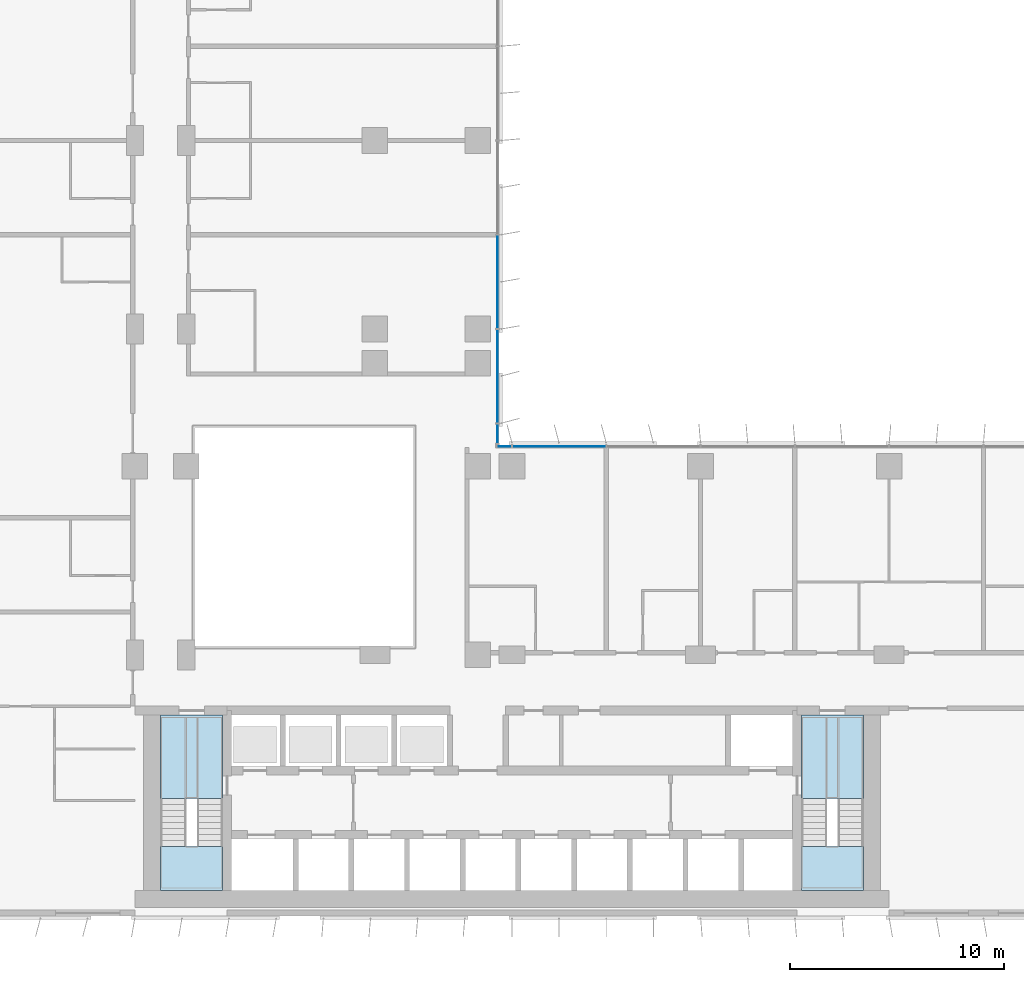
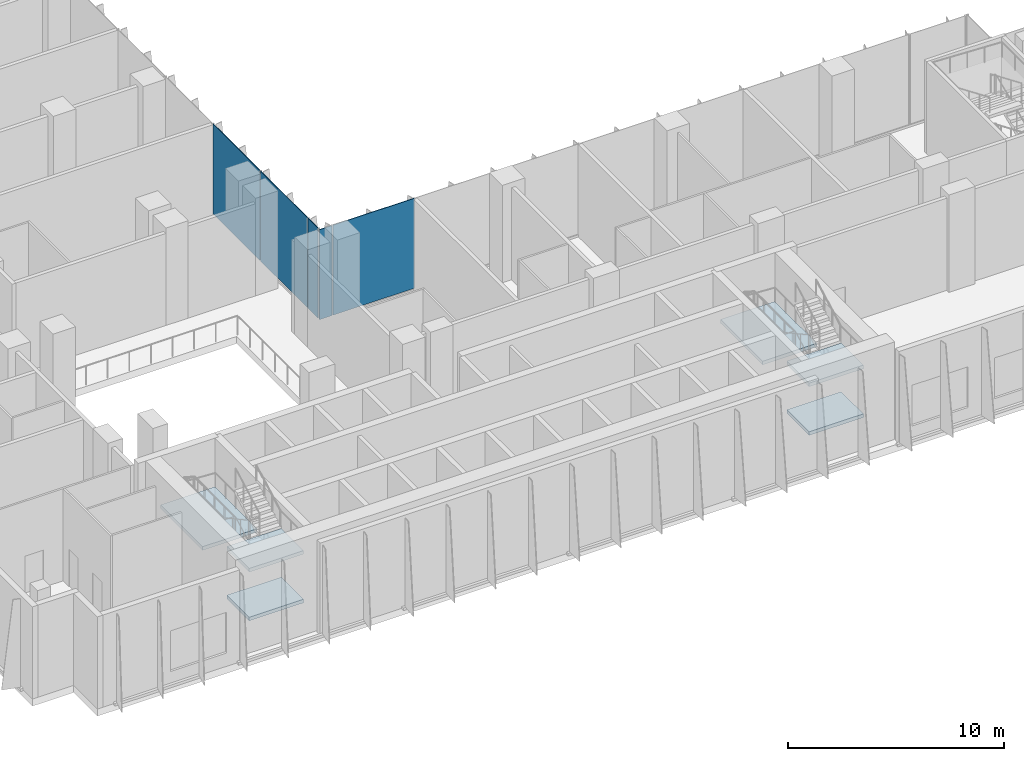
# One storey, part 10 of 26: 6 slabs, 5 plates, 4 elements without a shape of their own.
"""IFC4 building model written with IfcOpenShell, lengths in metres."""

from ifc_helpers import new_model, si_unit, direction, frame, origin, origin_2d, place, context, subcontext, project, spatial, polyline, rectangle, outline, extrude, source, transform, mapped, material, layer, layer_set, type_object, element, aggregate, save


model = new_model("IFC4")

# Units and contexts
model_context = context("Model", 3, precision=1e-05, world=origin(), true_north=direction((0.0, 1.0)))
body_context = subcontext(model_context, "Body", "Model", "MODEL_VIEW")
ifc_project = project(units=[si_unit("LENGTHUNIT", "METRE"), si_unit("AREAUNIT", "SQUARE_METRE"), si_unit("VOLUMEUNIT", "CUBIC_METRE"), si_unit("PLANEANGLEUNIT", "RADIAN"), si_unit("MASSUNIT", "GRAM", prefix="KILO")], contexts=[model_context])

# Site, building, storey
site_placement = place(None, origin())
site = spatial("IfcSite", under=ifc_project, at=site_placement, CompositionType="ELEMENT")
building_placement = place(site_placement, origin())
building = spatial("IfcBuilding", under=site, at=building_placement, Name="Kemantara Hotel Tower", CompositionType="ELEMENT")
storey_placement = place(building_placement, frame((0.0, 0.0, 101.89990234375)))
storey = spatial("IfcBuildingStorey", under=building, at=storey_placement, Name="L24", CompositionType="ELEMENT", Elevation=101.89990234375)

# Stair, slabs
ifc_material_1 = material(Name="Concrete fc 40 MPa", Category="concrete")
stair_type = type_object("IfcStairType", Name="Stair 1200 wide 36 risers of 153 x 280 mm", PredefinedType="HALF_TURN_STAIR", material=ifc_material_1)
stair_1_placement = place(storey_placement, origin())
stair_1 = element("IfcStair", 1, at=stair_1_placement, inside=storey, type_object=stair_type, Name="L24 Exit stair ST1", PredefinedType="HALF_TURN_STAIR")
ifc_layer_1 = layer(ifc_material_1, 0.199951171875)
ifc_layer_set_1 = layer_set([ifc_layer_1], Name="Concrete fc 40 MPa")
slab_type = type_object("IfcSlabType", Name="Stair landing 200 mm", PredefinedType="LANDING", material=ifc_layer_set_1)
slab_1_placement = place(storey_placement, frame((0.0, 0.0, 1.175048828125)))
slab_1 = element("IfcSlab", 2, at=slab_1_placement, type_object=slab_type, Name="ST1 landing 1", PredefinedType="LANDING", context=body_context, shape_type="SweptSolid", body=[
    extrude(outline(polyline([(11.0, 3.260009765625), (11.0, 1.199951171875), (13.89990234375, 1.199951171875), (13.89990234375, 3.260009765625), (11.0, 3.260009765625)])), origin(), (0.0, 0.0, 1.0), 0.199951171875),
])
slab_2_placement = place(storey_placement, frame((0.0, 0.0, 2.550048828125)))
slab_2 = element("IfcSlab", 3, at=slab_2_placement, type_object=slab_type, Name="ST1 landing 2", PredefinedType="LANDING", context=body_context, shape_type="SweptSolid", body=[
    extrude(outline(polyline([(11.0, 9.39990234375), (11.0, 5.5), (13.89990234375, 5.5), (13.89990234375, 9.39990234375), (11.0, 9.39990234375)])), origin(), (0.0, 0.0, 1.0), 0.199951171875),
])
slab_3_placement = place(storey_placement, frame((0.0, 0.0, 3.925048828125)))
slab_3 = element("IfcSlab", 4, at=slab_3_placement, type_object=slab_type, Name="ST1 landing 3", PredefinedType="LANDING", context=body_context, shape_type="SweptSolid", body=[
    extrude(outline(polyline([(11.0, 3.260009765625), (11.0, 1.199951171875), (13.89990234375, 1.199951171875), (13.89990234375, 3.260009765625), (11.0, 3.260009765625)])), origin(), (0.0, 0.0, 1.0), 0.199951171875),
])
aggregate(stair_1, [slab_1, slab_2, slab_3])

stair_2_placement = place(storey_placement, origin())
stair_2 = element("IfcStair", 5, at=stair_2_placement, inside=storey, type_object=stair_type, Name="L24 Exit stair ST2", PredefinedType="HALF_TURN_STAIR")
slab_4_placement = place(storey_placement, frame((0.0, 0.0, 1.175048828125)))
slab_4 = element("IfcSlab", 6, at=slab_4_placement, type_object=slab_type, Name="ST2 landing 1", PredefinedType="LANDING", context=body_context, shape_type="SweptSolid", body=[
    extrude(outline(polyline([(40.89990234375, 3.260009765625), (40.89990234375, 1.199951171875), (43.800048828125, 1.199951171875), (43.800048828125, 3.260009765625), (40.89990234375, 3.260009765625)])), origin(), (0.0, 0.0, 1.0), 0.199951171875),
])
slab_5_placement = place(storey_placement, frame((0.0, 0.0, 2.550048828125)))
slab_5 = element("IfcSlab", 7, at=slab_5_placement, type_object=slab_type, Name="ST2 landing 2", PredefinedType="LANDING", context=body_context, shape_type="SweptSolid", body=[
    extrude(outline(polyline([(40.89990234375, 9.39990234375), (40.89990234375, 5.5), (43.800048828125, 5.5), (43.800048828125, 9.39990234375), (40.89990234375, 9.39990234375)])), origin(), (0.0, 0.0, 1.0), 0.199951171875),
])
slab_6_placement = place(storey_placement, frame((0.0, 0.0, 3.925048828125)))
slab_6 = element("IfcSlab", 8, at=slab_6_placement, type_object=slab_type, Name="ST2 landing 3", PredefinedType="LANDING", context=body_context, shape_type="SweptSolid", body=[
    extrude(outline(polyline([(40.89990234375, 3.260009765625), (40.89990234375, 1.199951171875), (43.800048828125, 1.199951171875), (43.800048828125, 3.260009765625), (40.89990234375, 3.260009765625)])), origin(), (0.0, 0.0, 1.0), 0.199951171875),
])
aggregate(stair_2, [slab_4, slab_5, slab_6])

# Curtain wall, plate
ifc_material_2 = material(Name="Low-E tinted double insulated glass 36 mm", Category="glass")
curtain_wall_type = type_object("IfcCurtainWallType", Name="TOWER CURTAIN WALL, FRONT FACES", PredefinedType="USERDEFINED", material=ifc_material_2)
curtain_wall_1_placement = place(storey_placement, origin())
curtain_wall_1 = element("IfcCurtainWall", 9, at=curtain_wall_1_placement, inside=storey, type_object=curtain_wall_type, Name="CW4 L24 T2-R13-1", ObjectType="TOWER CURTAIN WALL, FRONT FACES", PredefinedType="USERDEFINED")
ifc_layer_2 = layer(ifc_material_2, 0.035888671875)
ifc_layer_set_2 = layer_set([ifc_layer_2], Name="Low-E tinted double insulated glass 36 mm")
plate_type = type_object("IfcPlateType", Name="TOWER CURTAIN WALL, FRONT FACES PANEL", PredefinedType="CURTAIN_PANEL", material=ifc_layer_set_2)
shared_shape_1 = source(origin(), body_context, "Body", "SweptSolid", [
    extrude(rectangle(XDim=4.340087890625, YDim=0.035888671875, at=origin_2d()), origin(), (0.0, 0.0, 1.0), 5.080078125),
])
plate_1_placement = place(storey_placement, frame((29.60009765625, 21.925048828125, 0.1201171875), z_axis=(0.0, 0.0, 1.0), x_axis=(-1.0, 0.0, 0.0)))
plate_1 = element("IfcPlate", 10, at=plate_1_placement, type_object=plate_type, Name="CW4 glass panel T2-R13-1.8", PredefinedType="CURTAIN_PANEL", context=body_context, shape_type="MappedRepresentation", body=[
    mapped(shared_shape_1, transform((0.0, 0.0, 0.0))),
])

# Curtain wall, plates
curtain_wall_2_placement = place(storey_placement, origin())
curtain_wall_2 = element("IfcCurtainWall", 11, at=curtain_wall_2_placement, inside=storey, type_object=curtain_wall_type, Name="CW4 L24 T2-R14-1", ObjectType="TOWER CURTAIN WALL, FRONT FACES", PredefinedType="USERDEFINED")
plate_2_placement = place(storey_placement, frame((26.72509765625, 25.199951171875, 0.1201171875), z_axis=(0.0, 0.0, 1.0), x_axis=(0.0, 1.0, 0.0)))
plate_2 = element("IfcPlate", 12, at=plate_2_placement, type_object=plate_type, Name="CW4 glass panel T2-R14-1.2", PredefinedType="CURTAIN_PANEL", context=body_context, shape_type="MappedRepresentation", body=[
    mapped(shared_shape_1, transform((0.0, 0.0, 0.0))),
])
plate_3_placement = place(storey_placement, frame((26.72509765625, 29.60009765625, 0.1201171875), z_axis=(0.0, 0.0, 1.0), x_axis=(0.0, 1.0, 0.0)))
plate_3 = element("IfcPlate", 13, at=plate_3_placement, type_object=plate_type, Name="CW4 glass panel T2-R14-1.3", PredefinedType="CURTAIN_PANEL", context=body_context, shape_type="MappedRepresentation", body=[
    mapped(shared_shape_1, transform((0.0, 0.0, 0.0))),
])

# Plate
shared_shape_2 = source(origin(), body_context, "Body", "SweptSolid", [
    extrude(rectangle(XDim=0.659912109375, YDim=0.035888671875, at=origin_2d()), origin(), (0.0, 0.0, 1.0), 5.080078125),
])
plate_4_placement = place(storey_placement, frame((27.0400390625, 21.925048828125, 0.1201171875), z_axis=(0.0, 0.0, 1.0), x_axis=(-1.0, 0.0, 0.0)))
plate_4 = element("IfcPlate", 14, at=plate_4_placement, type_object=plate_type, Name="CW4 glass panel T2-R13-1.9", PredefinedType="CURTAIN_PANEL", context=body_context, shape_type="MappedRepresentation", body=[
    mapped(shared_shape_2, transform((0.0, 0.0, 0.0))),
])

aggregate(curtain_wall_1, [plate_1, plate_4])

shared_shape_3 = source(origin(), body_context, "Body", "SweptSolid", [
    extrude(rectangle(XDim=0.909912109375, YDim=0.035888671875, at=origin_2d()), origin(), (0.0, 0.0, 1.0), 5.080078125),
])
plate_5_placement = place(storey_placement, frame((26.72509765625, 22.514892578125, 0.1201171875), z_axis=(0.0, 0.0, 1.0), x_axis=(0.0, 1.0, 0.0)))
plate_5 = element("IfcPlate", 15, at=plate_5_placement, type_object=plate_type, Name="CW4 glass panel T2-R14-1.1", PredefinedType="CURTAIN_PANEL", context=body_context, shape_type="MappedRepresentation", body=[
    mapped(shared_shape_3, transform((0.0, 0.0, 0.0))),
])

aggregate(curtain_wall_2, [plate_5, plate_2, plate_3])

save(model, "model.ifc")
